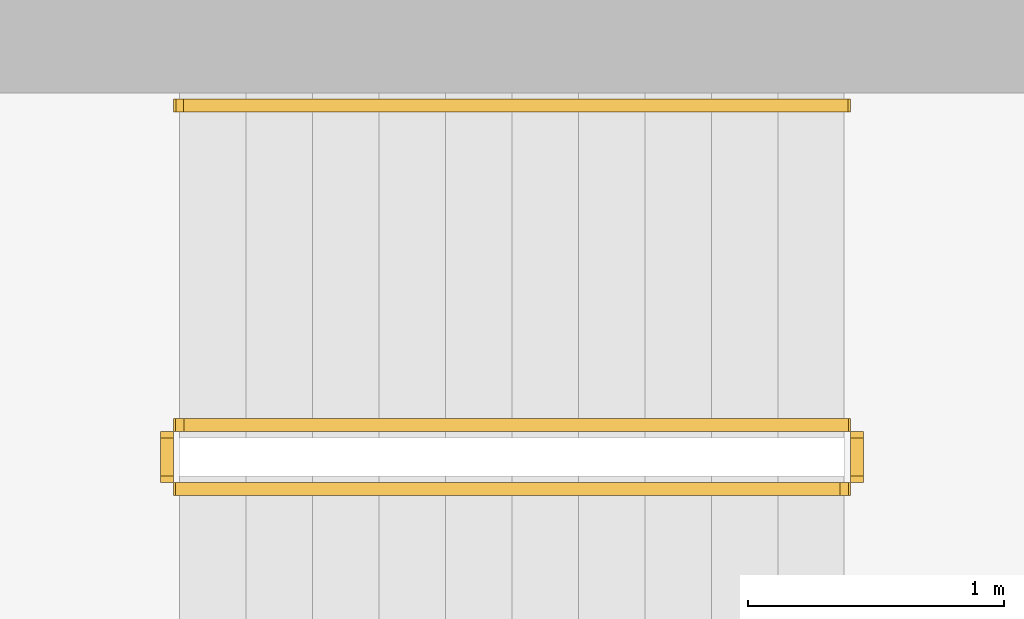
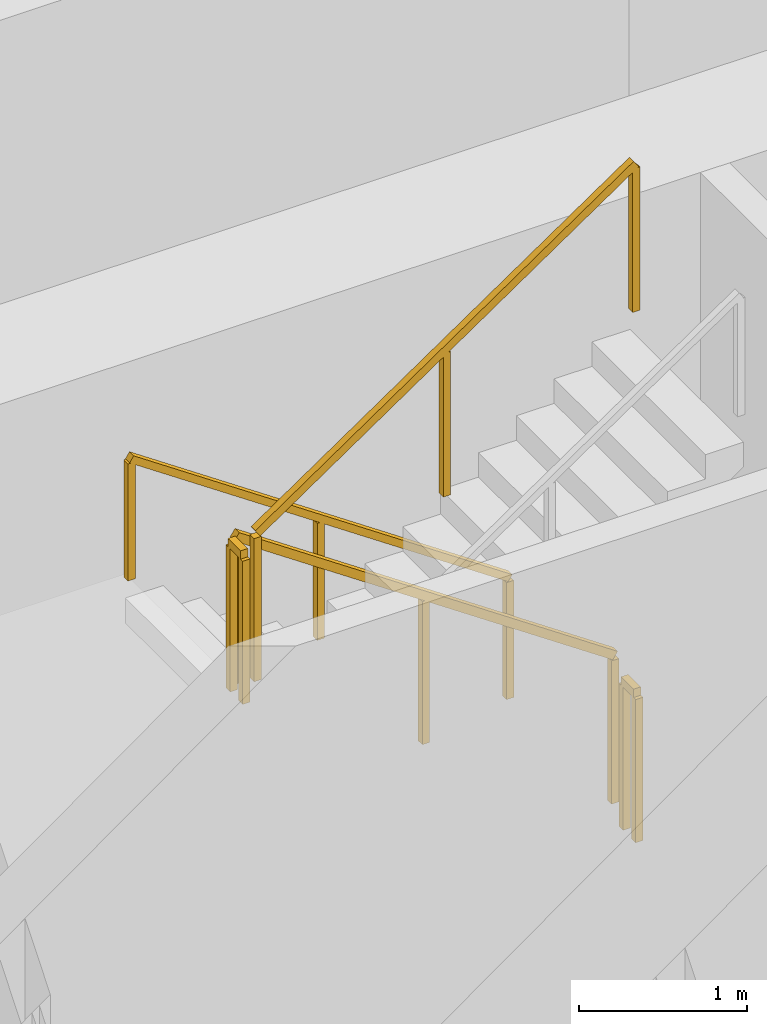
# One storey, part 14 of 15: 5 railings.
"""IFC4 building model written with IfcOpenShell, lengths in metres."""

from ifc_helpers import new_model, si_unit, direction, frame, origin, origin_2d, place, context, subcontext, project, spatial, rectangle, extrude, material, type_object, element, save


model = new_model("IFC4")

# Units and contexts
model_context = context("Model", 3, precision=1e-05, world=origin(), true_north=direction((0.0, 1.0)))
body_context = subcontext(model_context, "Body", "Model", "MODEL_VIEW")
ifc_project = project(units=[si_unit("LENGTHUNIT", "METRE"), si_unit("AREAUNIT", "SQUARE_METRE"), si_unit("VOLUMEUNIT", "CUBIC_METRE"), si_unit("PLANEANGLEUNIT", "RADIAN"), si_unit("MASSUNIT", "GRAM", prefix="KILO")], contexts=[model_context])

# Site, building, storey
site_placement = place(None, origin())
site = spatial("IfcSite", under=ifc_project, at=site_placement, CompositionType="ELEMENT")
building_placement = place(site_placement, origin())
building = spatial("IfcBuilding", under=site, at=building_placement, Name="Khepri Terraces", CompositionType="ELEMENT")
storey_placement = place(building_placement, frame((0.0, 0.0, 83.10009765625)))
storey = spatial("IfcBuildingStorey", under=building, at=storey_placement, Name="L19", CompositionType="ELEMENT", Elevation=83.10009765625)

# Railings
ifc_material = material(Name="Stainless steel 316", Category="steel")
railing_type_1 = type_object("IfcRailingType", Name="RL-CORE-GUARD", PredefinedType="GUARDRAIL", material=ifc_material)
railing_1_placement = place(storey_placement, frame((-0.25, 8.800048828125, 0.17724609375)))
element("IfcRailing", 1, at=railing_1_placement, inside=storey, type_object=railing_type_1, Name="L19 ST-3 stair guard 1", PredefinedType="GUARDRAIL", context=body_context, shape_type="SweptSolid", body=[
    extrude(rectangle(XDim=0.050048828125, YDim=0.06005859375, at=origin_2d()), frame((0.0, 0.0, 1.070068359375), z_axis=(-0.826240473404, 0.0, 0.563317565952), x_axis=(0.0, -1.0, 0.0)), (0.0, 0.0, 1.0), 3.14697265625),
    extrude(rectangle(XDim=0.050048828125, YDim=0.050048828125, at=origin_2d()), origin(), (0.0, 0.0, 1.0), 1.0400390625),
    extrude(rectangle(XDim=0.050048828125, YDim=0.050048828125, at=origin_2d()), frame((-1.300048828125, 0.0, 0.88623046875)), (0.0, 0.0, 1.0), 1.0400390625),
    extrude(rectangle(XDim=0.050048828125, YDim=0.050048828125, at=origin_2d()), frame((-2.60009765625, 0.0, 1.772705078125)), (0.0, 0.0, 1.0), 1.0400390625),
])
railing_2_placement = place(storey_placement, frame((-2.89990234375, 8.75, 1.949951171875)))
element("IfcRailing", 2, at=railing_2_placement, inside=storey, type_object=railing_type_1, Name="L19 ST-3 stair guard 2", PredefinedType="GUARDRAIL", context=body_context, shape_type="SweptSolid", body=[
    extrude(rectangle(XDim=0.050048828125, YDim=0.06005859375, at=origin_2d()), frame((0.0, 0.0, 1.070068359375), z_axis=(0.0, -1.0, 0.0), x_axis=(1.0, 0.0, 0.0)), (0.0, 0.0, 1.0), 0.14990234375),
    extrude(rectangle(XDim=0.050048828125, YDim=0.050048828125, at=origin_2d()), origin(), (0.0, 0.0, 1.0), 1.0400390625),
    extrude(rectangle(XDim=0.050048828125, YDim=0.050048828125, at=origin_2d()), frame((0.0, -0.14990234375, 0.0)), (0.0, 0.0, 1.0), 1.0400390625),
])
railing_3_placement = place(storey_placement, frame((-2.85009765625, 8.550048828125, 2.127197265625)))
element("IfcRailing", 3, at=railing_3_placement, inside=storey, type_object=railing_type_1, Name="L19 ST-3 stair guard 3", PredefinedType="GUARDRAIL", context=body_context, shape_type="SweptSolid", body=[
    extrude(rectangle(XDim=0.050048828125, YDim=0.06005859375, at=origin_2d()), frame((0.0, 0.0, 1.070068359375), z_axis=(0.826240473404, 0.0, 0.563317565952), x_axis=(0.0, 1.0, 0.0)), (0.0, 0.0, 1.0), 3.14697265625),
    extrude(rectangle(XDim=0.050048828125, YDim=0.050048828125, at=origin_2d()), origin(), (0.0, 0.0, 1.0), 1.0400390625),
    extrude(rectangle(XDim=0.050048828125, YDim=0.050048828125, at=origin_2d()), frame((1.300048828125, 0.0, 0.88623046875)), (0.0, 0.0, 1.0), 1.0400390625),
    extrude(rectangle(XDim=0.050048828125, YDim=0.050048828125, at=origin_2d()), frame((2.60009765625, 0.0, 1.772705078125)), (0.0, 0.0, 1.0), 1.0400390625),
])
railing_4_placement = place(storey_placement, frame((-0.199951171875, 8.75, 0.0)))
element("IfcRailing", 4, at=railing_4_placement, inside=storey, type_object=railing_type_1, Name="L19 ST-3 stair guard 4", PredefinedType="GUARDRAIL", context=body_context, shape_type="SweptSolid", body=[
    extrude(rectangle(XDim=0.050048828125, YDim=0.06005859375, at=origin_2d()), frame((0.0, 0.0, 1.070068359375), z_axis=(0.0, -1.0, 0.0), x_axis=(1.0, 0.0, 0.0)), (0.0, 0.0, 1.0), 0.14990234375),
    extrude(rectangle(XDim=0.050048828125, YDim=0.050048828125, at=origin_2d()), origin(), (0.0, 0.0, 1.0), 1.0400390625),
    extrude(rectangle(XDim=0.050048828125, YDim=0.050048828125, at=origin_2d()), frame((0.0, -0.14990234375, 0.0)), (0.0, 0.0, 1.0), 1.0400390625),
])
railing_type_2 = type_object("IfcRailingType", Name="RL-CORE-HANDRAIL", PredefinedType="HANDRAIL", material=ifc_material)
railing_5_placement = place(storey_placement, frame((-0.25, 10.050048828125, 0.17724609375)))
element("IfcRailing", 5, at=railing_5_placement, inside=storey, type_object=railing_type_2, Name="L19 ST-3 stair handrail 1", PredefinedType="HANDRAIL", context=body_context, shape_type="SweptSolid", body=[
    extrude(rectangle(XDim=0.050048828125, YDim=0.050048828125, at=origin_2d()), frame((0.0, 0.0, 0.875), z_axis=(-0.826240473404, 0.0, 0.563317565952), x_axis=(0.0, -1.0, 0.0)), (0.0, 0.0, 1.0), 3.14697265625),
    extrude(rectangle(XDim=0.050048828125, YDim=0.050048828125, at=origin_2d()), origin(), (0.0, 0.0, 1.0), 0.849853515625),
    extrude(rectangle(XDim=0.050048828125, YDim=0.050048828125, at=origin_2d()), frame((-1.300048828125, 0.0, 0.88623046875)), (0.0, 0.0, 1.0), 0.849853515625),
    extrude(rectangle(XDim=0.050048828125, YDim=0.050048828125, at=origin_2d()), frame((-2.60009765625, 0.0, 1.772705078125)), (0.0, 0.0, 1.0), 0.849853515625),
])

save(model, "model.ifc")
